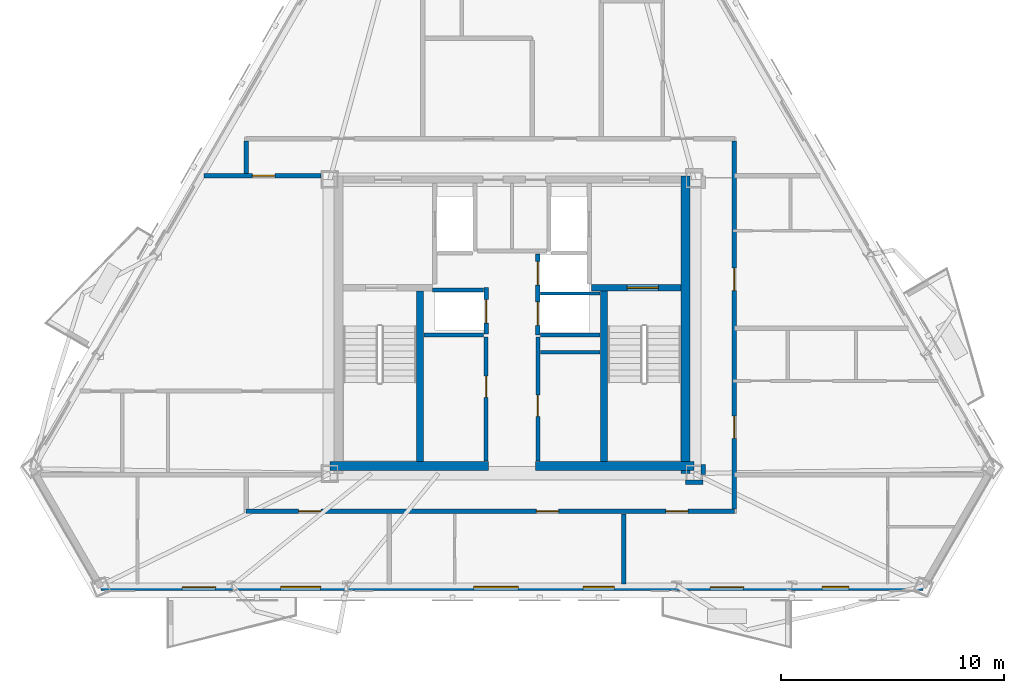
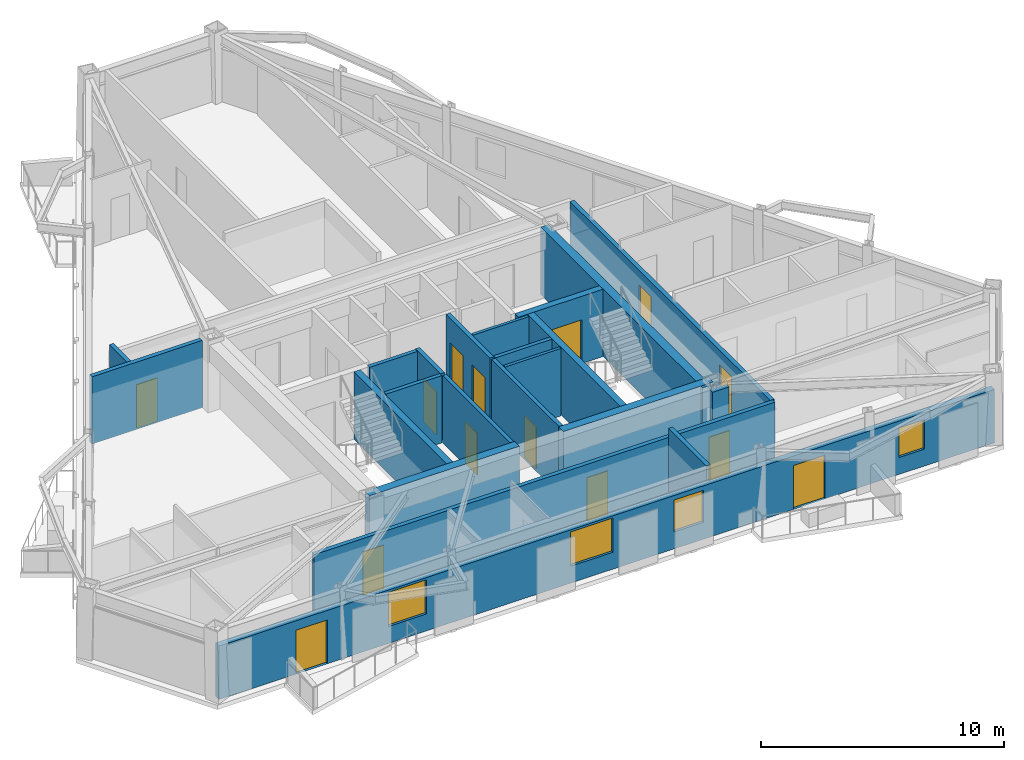
# One storey, part 3 of 9: 23 walls, 14 doors, 4 windows, 18 openings.
"""IFC4 building model written with IfcOpenShell, lengths in metres."""

from ifc_helpers import new_model, si_unit, direction, frame, frame_2d, origin, place, context, subcontext, project, spatial, rectangle, extrude, material, layer, layer_set, type_object, element, fill, save


model = new_model("IFC4")

# Units and contexts
model_context = context("Model", 3, precision=1e-05, world=origin(), true_north=direction((0.0, 1.0)))
body_context = subcontext(model_context, "Body", "Model", "MODEL_VIEW")
ifc_project = project(units=[si_unit("LENGTHUNIT", "METRE"), si_unit("AREAUNIT", "SQUARE_METRE"), si_unit("VOLUMEUNIT", "CUBIC_METRE"), si_unit("PLANEANGLEUNIT", "RADIAN"), si_unit("MASSUNIT", "GRAM", prefix="KILO")], contexts=[model_context])

# Site, building, storey
site_placement = place(None, origin())
site = spatial("IfcSite", under=ifc_project, at=site_placement, CompositionType="ELEMENT")
building_placement = place(site_placement, origin())
building = spatial("IfcBuilding", under=site, at=building_placement, Name="Oramaril Tower", CompositionType="ELEMENT")
storey_placement = place(building_placement, frame((0.0, 0.0, 230.699951171875)))
storey = spatial("IfcBuildingStorey", under=building, at=storey_placement, Name="L61", CompositionType="ELEMENT", Elevation=230.699951171875)

# Wall, openings, doors, windows
ifc_material_1 = material(Name="Warm Cream Limestone", Category="masonry")
ifc_layer_1 = layer(ifc_material_1, 0.2900390625)
ifc_layer_set_1 = layer_set([ifc_layer_1], Name="WT-EXT29")
wall_type_1 = type_object("IfcWallType", Name="WT-EXT29", PredefinedType="SOLIDWALL", material=ifc_layer_set_1)
wall_1_placement = place(storey_placement, frame((19.102294921875, 5.9140625, 0.0), z_axis=(0.0, 0.0, 1.0), x_axis=(1.0, 0.0, 0.0)))
wall_1 = element("IfcWall", 1, at=wall_1_placement, inside=storey, type_object=wall_type_1, Name="L61 Tower Limestone Facade Wall 2M", PredefinedType="SOLIDWALL", context=body_context, shape_type="SweptSolid", body=[
    extrude(rectangle(XDim=36.79541015625, YDim=0.2900390625, at=frame_2d((18.397705078125, 0.0))), origin(), (0.0, 0.0, 1.0), 2.677001953125),
])
opening_1_placement = place(wall_1_placement, frame((3.639404296875, 0.0, 0.0)))
opening_1 = element("IfcOpeningElement", 2, at=opening_1_placement, cuts=wall_1, Name="Opening D-L61-BAL-S1", PredefinedType="OPENING", context=body_context, shape_type="SweptSolid", body=[
    extrude(rectangle(XDim=1.5, YDim=2.199951171875, at=frame_2d((0.75, 1.10009765625))), frame((0.0, 0.14501953125, 0.0), z_axis=(0.0, -1.0, 0.0), x_axis=(1.0, 0.0, 0.0)), (0.0, 0.0, 1.0), 0.2900390625),
])
opening_2_placement = place(wall_1_placement, frame((27.2607421875, 0.0, 0.0)))
opening_2 = element("IfcOpeningElement", 3, at=opening_2_placement, cuts=wall_1, Name="Opening D-L61-BAL-S2", PredefinedType="OPENING", context=body_context, shape_type="SweptSolid", body=[
    extrude(rectangle(XDim=1.5, YDim=2.199951171875, at=frame_2d((0.75, 1.10009765625))), frame((0.0, 0.14501953125, 0.0), z_axis=(0.0, -1.0, 0.0), x_axis=(1.0, 0.0, 0.0)), (0.0, 0.0, 1.0), 0.2900390625),
])
opening_3_placement = place(wall_1_placement, frame((8.039794921875, 0.0, 0.85009765625)))
opening_3 = element("IfcOpeningElement", 4, at=opening_3_placement, cuts=wall_1, Name="Opening WN-06", PredefinedType="OPENING", context=body_context, shape_type="SweptSolid", body=[
    extrude(rectangle(XDim=1.800048828125, YDim=1.717041015625, at=frame_2d((0.89990234375, 0.8583984375))), frame((0.0, 0.14501953125, 0.0), z_axis=(0.0, -1.0, 0.0), x_axis=(1.0, 0.0, 0.0)), (0.0, 0.0, 1.0), 0.2900390625),
])
opening_4_placement = place(wall_1_placement, frame((16.6845703125, 0.0, 0.85009765625)))
opening_4 = element("IfcOpeningElement", 5, at=opening_4_placement, cuts=wall_1, Name="Opening WN-05", PredefinedType="OPENING", context=body_context, shape_type="SweptSolid", body=[
    extrude(rectangle(XDim=2.0, YDim=1.717041015625, at=frame_2d((1.0, 0.8583984375))), frame((0.0, 0.14501953125, 0.0), z_axis=(0.0, -1.0, 0.0), x_axis=(1.0, 0.0, 0.0)), (0.0, 0.0, 1.0), 0.2900390625),
])
opening_5_placement = place(wall_1_placement, frame((21.583740234375, 0.0, 0.85009765625)))
opening_5 = element("IfcOpeningElement", 6, at=opening_5_placement, cuts=wall_1, Name="Opening WN-08", PredefinedType="OPENING", context=body_context, shape_type="SweptSolid", body=[
    extrude(rectangle(XDim=1.39990234375, YDim=1.60009765625, at=frame_2d((0.699951171875, 0.800048828125))), frame((0.0, 0.14501953125, 0.0), z_axis=(0.0, -1.0, 0.0), x_axis=(1.0, 0.0, 0.0)), (0.0, 0.0, 1.0), 0.2900390625),
])
opening_6_placement = place(wall_1_placement, frame((32.270263671875, 0.0, 0.85009765625)))
opening_6 = element("IfcOpeningElement", 7, at=opening_6_placement, cuts=wall_1, Name="Opening WN-09", PredefinedType="OPENING", context=body_context, shape_type="SweptSolid", body=[
    extrude(rectangle(XDim=1.199951171875, YDim=1.47998046875, at=frame_2d((0.60009765625, 0.739990234375))), frame((0.0, 0.14501953125, 0.0), z_axis=(0.0, -1.0, 0.0), x_axis=(1.0, 0.0, 0.0)), (0.0, 0.0, 1.0), 0.2900390625),
])
ifc_material_2 = material(Name="Anodised Aluminium 6063-T6", Category="aluminium")
door_type_1 = type_object("IfcDoorType", Name="DT-BAL", OperationType="NOTDEFINED", PredefinedType="DOOR", material=ifc_material_2)
door_1_placement = place(opening_1_placement, origin())
door_1 = element("IfcDoor", 8, at=door_1_placement, inside=storey, type_object=door_type_1, Name="L61 Balcony Glazed Door L61-BAL-S1", OperationType="SINGLE_SWING_RIGHT", OverallHeight=2.199951171875, OverallWidth=1.5, PredefinedType="DOOR", context=body_context, shape_type="SweptSolid", body=[
    extrude(rectangle(XDim=1.5, YDim=2.199951171875, at=frame_2d((0.75, 1.10009765625))), frame((0.0, 0.02490234375, 0.0), z_axis=(0.0, -1.0, 0.0), x_axis=(1.0, 0.0, 0.0)), (0.0, 0.0, 1.0), 0.050048828125),
])
fill(opening_1, door_1)
door_2_placement = place(opening_2_placement, origin())
door_2 = element("IfcDoor", 9, at=door_2_placement, inside=storey, type_object=door_type_1, Name="L61 Balcony Glazed Door L61-BAL-S2", OperationType="SINGLE_SWING_LEFT", OverallHeight=2.199951171875, OverallWidth=1.5, PredefinedType="DOOR", context=body_context, shape_type="SweptSolid", body=[
    extrude(rectangle(XDim=1.5, YDim=2.199951171875, at=frame_2d((0.75, 1.10009765625))), frame((0.0, 0.02490234375, 0.0), z_axis=(0.0, -1.0, 0.0), x_axis=(1.0, 0.0, 0.0)), (0.0, 0.0, 1.0), 0.050048828125),
])
fill(opening_2, door_2)
ifc_material_3 = material(Name="Coastal Low-E Insulated Glass", Category="glass")
window_type_1 = type_object("IfcWindowType", Name="WNT-05", PartitioningType="SINGLE_PANEL", PredefinedType="WINDOW", material=ifc_material_3)
window_1_placement = place(opening_4_placement, origin())
window_1 = element("IfcWindow", 10, at=window_1_placement, inside=storey, type_object=window_type_1, Name="L61 Chicago Bay Window WN-05", OverallHeight=1.717041015625, OverallWidth=2.0, PartitioningType="SINGLE_PANEL", PredefinedType="WINDOW", context=body_context, shape_type="SweptSolid", body=[
    extrude(rectangle(XDim=2.0, YDim=1.717041015625, at=frame_2d((1.0, 0.8583984375))), frame((0.0, 0.030029296875, 0.0), z_axis=(0.0, -1.0, 0.0), x_axis=(1.0, 0.0, 0.0)), (0.0, 0.0, 1.0), 0.06005859375),
])
fill(opening_4, window_1)
ifc_material_4 = material(Name="Coastal Low-E Insulated Glass", Category="glass")
window_type_2 = type_object("IfcWindowType", Name="WNT-06", PartitioningType="SINGLE_PANEL", PredefinedType="WINDOW", material=ifc_material_4)
window_2_placement = place(opening_3_placement, origin())
window_2 = element("IfcWindow", 11, at=window_2_placement, inside=storey, type_object=window_type_2, Name="L61 Chicago Bay Window WN-06", OverallHeight=1.717041015625, OverallWidth=1.800048828125, PartitioningType="SINGLE_PANEL", PredefinedType="WINDOW", context=body_context, shape_type="SweptSolid", body=[
    extrude(rectangle(XDim=1.800048828125, YDim=1.717041015625, at=frame_2d((0.89990234375, 0.8583984375))), frame((0.0, 0.030029296875, 0.0), z_axis=(0.0, -1.0, 0.0), x_axis=(1.0, 0.0, 0.0)), (0.0, 0.0, 1.0), 0.06005859375),
])
fill(opening_3, window_2)
ifc_material_5 = material(Name="Coastal Low-E Insulated Glass", Category="glass")
window_type_3 = type_object("IfcWindowType", Name="WNT-08", PartitioningType="SINGLE_PANEL", PredefinedType="WINDOW", material=ifc_material_5)
window_3_placement = place(opening_5_placement, origin())
window_3 = element("IfcWindow", 12, at=window_3_placement, inside=storey, type_object=window_type_3, Name="L61 Chicago Bay Window WN-08", OverallHeight=1.60009765625, OverallWidth=1.39990234375, PartitioningType="SINGLE_PANEL", PredefinedType="WINDOW", context=body_context, shape_type="SweptSolid", body=[
    extrude(rectangle(XDim=1.39990234375, YDim=1.60009765625, at=frame_2d((0.699951171875, 0.800048828125))), frame((0.0, 0.030029296875, 0.0), z_axis=(0.0, -1.0, 0.0), x_axis=(1.0, 0.0, 0.0)), (0.0, 0.0, 1.0), 0.06005859375),
])
fill(opening_5, window_3)
ifc_material_6 = material(Name="Coastal Low-E Insulated Glass", Category="glass")
window_type_4 = type_object("IfcWindowType", Name="WNT-09", PartitioningType="SINGLE_PANEL", PredefinedType="WINDOW", material=ifc_material_6)
window_4_placement = place(opening_6_placement, origin())
window_4 = element("IfcWindow", 13, at=window_4_placement, inside=storey, type_object=window_type_4, Name="L61 Chicago Bay Window WN-09", OverallHeight=1.47998046875, OverallWidth=1.199951171875, PartitioningType="SINGLE_PANEL", PredefinedType="WINDOW", context=body_context, shape_type="SweptSolid", body=[
    extrude(rectangle(XDim=1.199951171875, YDim=1.47998046875, at=frame_2d((0.60009765625, 0.739990234375))), frame((0.0, 0.030029296875, 0.0), z_axis=(0.0, -1.0, 0.0), x_axis=(1.0, 0.0, 0.0)), (0.0, 0.0, 1.0), 0.06005859375),
])
fill(opening_6, window_4)

# Walls
ifc_material_7 = material(Name="Acoustic Gypsum Board Partition")
ifc_layer_2 = layer(ifc_material_7, 0.139892578125)
ifc_layer_set_2 = layer_set([ifc_layer_2], Name="WT-PT14")
wall_type_2 = type_object("IfcWallType", Name="WT-PT14", PredefinedType="PARTITIONING", material=ifc_layer_set_2)
for number, where, z_axis, x_axis, name in (
    (14, (38.780029296875, 19.050048828125, 0.0), (0.0, 0.0, 1.0), (1.0, 0.0, 0.0), "L61 High-Rise Lift H2-H3 Divider"),
    (15, (38.780029296875, 16.419921875, 0.0), (0.0, 0.0, 1.0), (1.0, 0.0, 0.0), "L61 Freed Shaft North Closure"),
):
    element("IfcWall", number, at=place(storey_placement, frame(where, z_axis=z_axis, x_axis=x_axis)), inside=storey, type_object=wall_type_2, Name=name, PredefinedType="PARTITIONING", context=body_context, shape_type="SweptSolid", body=[
        extrude(rectangle(XDim=2.659912109375, YDim=0.139892578125, at=frame_2d((1.330078125, 0.0))), origin(), (0.0, 0.0, 1.0), 3.380126953125),
    ])
ifc_material_8 = material(Name="Autoclaved Cellular Concrete Block", Category="concrete")
ifc_layer_3 = layer(ifc_material_8, 0.179931640625)
ifc_layer_set_3 = layer_set([ifc_layer_3], Name="WT-PT18")
wall_type_3 = type_object("IfcWallType", Name="WT-PT18", PredefinedType="PARTITIONING", material=ifc_layer_set_3)
wall_2_placement = place(storey_placement, frame((33.949951171875, 19.199951171875, 0.0), z_axis=(0.0, 0.0, 1.0), x_axis=(1.0, 0.0, 0.0)))
element("IfcWall", 16, at=wall_2_placement, inside=storey, type_object=wall_type_3, Name="L61 High-Rise Lift H1 North Shaft Wall", PredefinedType="PARTITIONING", context=body_context, shape_type="SweptSolid", body=[
    extrude(rectangle(XDim=2.27001953125, YDim=0.179931640625, at=frame_2d((1.135009765625, 0.0))), origin(), (0.0, 0.0, 1.0), 3.380126953125),
])
wall_3_placement = place(storey_placement, frame((33.56005859375, 17.199951171875, 0.0), z_axis=(0.0, 0.0, 1.0), x_axis=(1.0, 0.0, 0.0)))
element("IfcWall", 17, at=wall_3_placement, inside=storey, type_object=wall_type_3, Name="L61 High-Rise Lift H1 South Wall", PredefinedType="PARTITIONING", context=body_context, shape_type="SweptSolid", body=[
    extrude(rectangle(XDim=2.659912109375, YDim=0.179931640625, at=frame_2d((1.330078125, 0.0))), origin(), (0.0, 0.0, 1.0), 3.380126953125),
])

# Wall, opening, door
wall_4_placement = place(storey_placement, frame((36.340087890625, 11.550048828125, 0.0), z_axis=(0.0, 0.0, 1.0), x_axis=(0.0, 1.0, 0.0)))
wall_4 = element("IfcWall", 18, at=wall_4_placement, inside=storey, type_object=wall_type_3, Name="L61 Freed Shaft Study East Wall", PredefinedType="PARTITIONING", context=body_context, shape_type="SweptSolid", body=[
    extrude(rectangle(XDim=5.550048828125, YDim=0.179931640625, at=frame_2d((2.77490234375, 0.0))), origin(), (0.0, 0.0, 1.0), 3.380126953125),
])
opening_7_placement = place(wall_4_placement, frame((2.85009765625, 0.0, 0.0)))
opening_7 = element("IfcOpeningElement", 19, at=opening_7_placement, cuts=wall_4, Name="Opening D-L61-FL1", PredefinedType="OPENING", context=body_context, shape_type="SweptSolid", body=[
    extrude(rectangle(XDim=0.949951171875, YDim=2.10009765625, at=frame_2d((0.47509765625, 1.050048828125))), frame((0.0, 0.08984375, 0.0), z_axis=(0.0, -1.0, 0.0), x_axis=(1.0, 0.0, 0.0)), (0.0, 0.0, 1.0), 0.179931640625),
])
ifc_material_9 = material(Name="FSC Brazilian Freijo Hardwood", Category="wood")
door_type_2 = type_object("IfcDoorType", Name="DT-STDY", OperationType="NOTDEFINED", PredefinedType="DOOR", material=ifc_material_9)
door_3_placement = place(opening_7_placement, origin())
door_3 = element("IfcDoor", 20, at=door_3_placement, inside=storey, type_object=door_type_2, Name="L61 L61 Residents Study Alcove Door", OperationType="SINGLE_SWING_LEFT", OverallHeight=2.10009765625, OverallWidth=0.949951171875, PredefinedType="DOOR", context=body_context, shape_type="SweptSolid", body=[
    extrude(rectangle(XDim=0.949951171875, YDim=2.10009765625, at=frame_2d((0.47509765625, 1.050048828125))), frame((0.0, 0.02490234375, 0.0), z_axis=(0.0, -1.0, 0.0), x_axis=(1.0, 0.0, 0.0)), (0.0, 0.0, 1.0), 0.050048828125),
])
fill(opening_7, door_3)

# Wall
wall_5_placement = place(storey_placement, frame((38.780029296875, 17.199951171875, 0.0), z_axis=(0.0, 0.0, 1.0), x_axis=(1.0, 0.0, 0.0)))
element("IfcWall", 21, at=wall_5_placement, inside=storey, type_object=wall_type_3, Name="L61 High-Rise Lift H2 South Wall", PredefinedType="PARTITIONING", context=body_context, shape_type="SweptSolid", body=[
    extrude(rectangle(XDim=2.659912109375, YDim=0.179931640625, at=frame_2d((1.330078125, 0.0))), origin(), (0.0, 0.0, 1.0), 3.380126953125),
])

# Wall, opening, door
wall_6_placement = place(storey_placement, frame((38.659912109375, 11.550048828125, 0.0), z_axis=(0.0, 0.0, 1.0), x_axis=(0.0, 1.0, 0.0)))
wall_6 = element("IfcWall", 22, at=wall_6_placement, inside=storey, type_object=wall_type_3, Name="L61 Freed Shaft Alcove West Wall", PredefinedType="PARTITIONING", context=body_context, shape_type="SweptSolid", body=[
    extrude(rectangle(XDim=5.550048828125, YDim=0.179931640625, at=frame_2d((2.77490234375, 0.0))), origin(), (0.0, 0.0, 1.0), 3.380126953125),
])
opening_8_placement = place(wall_6_placement, frame((2.0, 0.0, 0.0)))
opening_8 = element("IfcOpeningElement", 23, at=opening_8_placement, cuts=wall_6, Name="Opening D-L61-FM1", PredefinedType="OPENING", context=body_context, shape_type="SweptSolid", body=[
    extrude(rectangle(XDim=0.949951171875, YDim=2.10009765625, at=frame_2d((0.47509765625, 1.050048828125))), frame((0.0, 0.08984375, 0.0), z_axis=(0.0, -1.0, 0.0), x_axis=(1.0, 0.0, 0.0)), (0.0, 0.0, 1.0), 0.179931640625),
])
door_4_placement = place(opening_8_placement, origin())
door_4 = element("IfcDoor", 24, at=door_4_placement, inside=storey, type_object=door_type_2, Name="L61 L61 Sky Reading Room Door", OperationType="SINGLE_SWING_RIGHT", OverallHeight=2.10009765625, OverallWidth=0.949951171875, PredefinedType="DOOR", context=body_context, shape_type="SweptSolid", body=[
    extrude(rectangle(XDim=0.949951171875, YDim=2.10009765625, at=frame_2d((0.47509765625, 1.050048828125))), frame((0.0, 0.02490234375, 0.0), z_axis=(0.0, -1.0, 0.0), x_axis=(1.0, 0.0, 0.0)), (0.0, 0.0, 1.0), 0.050048828125),
])
fill(opening_8, door_4)

# Wall, openings, doors
ifc_material_10 = material(Name="Autoclaved Cellular Concrete Block", Category="concrete")
ifc_layer_4 = layer(ifc_material_10, 0.199951171875)
ifc_layer_set_4 = layer_set([ifc_layer_4], Name="WT-PT20")
wall_type_4 = type_object("IfcWallType", Name="WT-PT20", PredefinedType="PARTITIONING", material=ifc_layer_set_4)
wall_7_placement = place(storey_placement, frame((25.60009765625, 9.300048828125, 0.0), z_axis=(0.0, 0.0, 1.0), x_axis=(1.0, 0.0, 0.0)))
wall_7 = element("IfcWall", 25, at=wall_7_placement, inside=storey, type_object=wall_type_4, Name="L61 Interior Partition PT-20", PredefinedType="PARTITIONING", context=body_context, shape_type="SweptSolid", body=[
    extrude(rectangle(XDim=21.849853515625, YDim=0.199951171875, at=frame_2d((10.9248046875, 0.0))), origin(), (0.0, 0.0, 1.0), 2.9130859375),
])
opening_9_placement = place(wall_7_placement, frame((2.352294921875, 0.0, 0.0)))
opening_9 = element("IfcOpeningElement", 26, at=opening_9_placement, cuts=wall_7, Name="Opening D-L61-01", PredefinedType="OPENING", context=body_context, shape_type="SweptSolid", body=[
    extrude(rectangle(XDim=1.0, YDim=2.179931640625, at=frame_2d((0.5, 1.08984375))), frame((0.0, 0.10009765625, 0.0), z_axis=(0.0, -1.0, 0.0), x_axis=(1.0, 0.0, 0.0)), (0.0, 0.0, 1.0), 0.199951171875),
])
opening_10_placement = place(wall_7_placement, frame((12.989990234375, 0.0, 0.0)))
opening_10 = element("IfcOpeningElement", 27, at=opening_10_placement, cuts=wall_7, Name="Opening D-L61-02", PredefinedType="OPENING", context=body_context, shape_type="SweptSolid", body=[
    extrude(rectangle(XDim=1.0, YDim=2.179931640625, at=frame_2d((0.5, 1.08984375))), frame((0.0, 0.10009765625, 0.0), z_axis=(0.0, -1.0, 0.0), x_axis=(1.0, 0.0, 0.0)), (0.0, 0.0, 1.0), 0.199951171875),
])
opening_11_placement = place(wall_7_placement, frame((18.77978515625, 0.0, 0.0)))
opening_11 = element("IfcOpeningElement", 28, at=opening_11_placement, cuts=wall_7, Name="Opening D-L61-03", PredefinedType="OPENING", context=body_context, shape_type="SweptSolid", body=[
    extrude(rectangle(XDim=1.0, YDim=2.179931640625, at=frame_2d((0.5, 1.08984375))), frame((0.0, 0.10009765625, 0.0), z_axis=(0.0, -1.0, 0.0), x_axis=(1.0, 0.0, 0.0)), (0.0, 0.0, 1.0), 0.199951171875),
])
ifc_material_11 = material(Name="FSC Brazilian Freijo Hardwood", Category="wood")
door_type_3 = type_object("IfcDoorType", Name="DT-APT", OperationType="NOTDEFINED", PredefinedType="DOOR", material=ifc_material_11)
door_5_placement = place(opening_9_placement, origin())
door_5 = element("IfcDoor", 29, at=door_5_placement, inside=storey, type_object=door_type_3, Name="L61 Flat L61-U1 Kitchen and Studio Apartment Door D-L61-01", OperationType="SINGLE_SWING_RIGHT", OverallHeight=2.179931640625, OverallWidth=1.0, PredefinedType="DOOR", context=body_context, shape_type="SweptSolid", body=[
    extrude(rectangle(XDim=1.0, YDim=2.179931640625, at=frame_2d((0.5, 1.08984375))), frame((0.0, 0.02490234375, 0.0), z_axis=(0.0, -1.0, 0.0), x_axis=(1.0, 0.0, 0.0)), (0.0, 0.0, 1.0), 0.050048828125),
])
fill(opening_9, door_5)
door_6_placement = place(opening_10_placement, origin())
door_6 = element("IfcDoor", 30, at=door_6_placement, inside=storey, type_object=door_type_3, Name="L61 Flat L61-U2 Kitchen and Studio Apartment Door D-L61-02", OperationType="SINGLE_SWING_LEFT", OverallHeight=2.179931640625, OverallWidth=1.0, PredefinedType="DOOR", context=body_context, shape_type="SweptSolid", body=[
    extrude(rectangle(XDim=1.0, YDim=2.179931640625, at=frame_2d((0.5, 1.08984375))), frame((0.0, 0.02490234375, 0.0), z_axis=(0.0, -1.0, 0.0), x_axis=(1.0, 0.0, 0.0)), (0.0, 0.0, 1.0), 0.050048828125),
])
fill(opening_10, door_6)
door_7_placement = place(opening_11_placement, origin())
door_7 = element("IfcDoor", 31, at=door_7_placement, inside=storey, type_object=door_type_3, Name="L61 Flat L61-U3 Studio Apartment Door D-L61-03", OperationType="SINGLE_SWING_RIGHT", OverallHeight=2.179931640625, OverallWidth=1.0, PredefinedType="DOOR", context=body_context, shape_type="SweptSolid", body=[
    extrude(rectangle(XDim=1.0, YDim=2.179931640625, at=frame_2d((0.5, 1.08984375))), frame((0.0, 0.02490234375, 0.0), z_axis=(0.0, -1.0, 0.0), x_axis=(1.0, 0.0, 0.0)), (0.0, 0.0, 1.0), 0.050048828125),
])
fill(opening_11, door_7)

# Wall
wall_8_placement = place(storey_placement, frame((45.260009765625, 10.610107421875, 0.0), z_axis=(0.0, 0.0, 1.0), x_axis=(1.0, 0.0, 0.0)))
element("IfcWall", 32, at=wall_8_placement, inside=storey, type_object=wall_type_4, Name="L61 Interior Partition PT-20", PredefinedType="PARTITIONING", context=body_context, shape_type="SweptSolid", body=[
    extrude(rectangle(XDim=0.780029296875, YDim=0.199951171875, at=frame_2d((0.39013671875, 0.0))), origin(), (0.0, 0.0, 1.0), 3.380126953125),
])

# Wall, opening, door
wall_9_placement = place(storey_placement, frame((23.72802734375, 24.320068359375, 0.0), z_axis=(0.0, 0.0, 1.0), x_axis=(1.0, 0.0, 0.0)))
wall_9 = element("IfcWall", 33, at=wall_9_placement, inside=storey, type_object=wall_type_4, Name="L61 Interior Partition PT-20", PredefinedType="PARTITIONING", context=body_context, shape_type="SweptSolid", body=[
    extrude(rectangle(XDim=5.23193359375, YDim=0.199951171875, at=frame_2d((2.615966796875, 0.0))), origin(), (0.0, 0.0, 1.0), 3.380126953125),
])
opening_12_placement = place(wall_9_placement, frame((2.16015625, 0.0, 0.0)))
opening_12 = element("IfcOpeningElement", 34, at=opening_12_placement, cuts=wall_9, Name="Opening D-L61-12", PredefinedType="OPENING", context=body_context, shape_type="SweptSolid", body=[
    extrude(rectangle(XDim=1.0, YDim=2.179931640625, at=frame_2d((0.5, 1.08984375))), frame((0.0, 0.10009765625, 0.0), z_axis=(0.0, -1.0, 0.0), x_axis=(1.0, 0.0, 0.0)), (0.0, 0.0, 1.0), 0.199951171875),
])
door_8_placement = place(opening_12_placement, origin())
door_8 = element("IfcDoor", 35, at=door_8_placement, inside=storey, type_object=door_type_3, Name="L61 Flat L61-U4 Penthouse Living and Dining Room Door D-L61-12", OperationType="SINGLE_SWING_LEFT", OverallHeight=2.179931640625, OverallWidth=1.0, PredefinedType="DOOR", context=body_context, shape_type="SweptSolid", body=[
    extrude(rectangle(XDim=1.0, YDim=2.179931640625, at=frame_2d((0.5, 1.08984375))), frame((0.0, 0.02490234375, 0.0), z_axis=(0.0, -1.0, 0.0), x_axis=(1.0, 0.0, 0.0)), (0.0, 0.0, 1.0), 0.050048828125),
])
fill(opening_12, door_8)

# Walls
wall_10_placement = place(storey_placement, frame((25.60009765625, 24.424072265625, 0.0), z_axis=(0.0, 0.0, 1.0), x_axis=(0.0, 1.0, 0.0)))
element("IfcWall", 36, at=wall_10_placement, inside=storey, type_object=wall_type_4, Name="L61 Interior Partition PT-20", PredefinedType="PARTITIONING", context=body_context, shape_type="SweptSolid", body=[
    extrude(rectangle(XDim=1.44189453125, YDim=0.199951171875, at=frame_2d((0.720947265625, 0.0))), origin(), (0.0, 0.0, 1.0), 3.380126953125),
])
wall_11_placement = place(storey_placement, frame((42.5, 6.06298828125, 0.0), z_axis=(0.0, 0.0, 1.0), x_axis=(0.0, 1.0, 0.0)))
element("IfcWall", 37, at=wall_11_placement, inside=storey, type_object=wall_type_4, Name="L61 Interior Partition PT-20", PredefinedType="PARTITIONING", context=body_context, shape_type="SweptSolid", body=[
    extrude(rectangle(XDim=3.133056640625, YDim=0.199951171875, at=frame_2d((1.56640625, 0.0))), origin(), (0.0, 0.0, 1.0), 3.380126953125),
])
wall_12_placement = place(storey_placement, frame((46.050048828125, 10.949951171875, 0.0), z_axis=(0.0, 0.0, 1.0), x_axis=(0.0, 1.0, 0.0)))
element("IfcWall", 38, at=wall_12_placement, inside=storey, type_object=wall_type_4, Name="L61 Interior Partition PT-20", PredefinedType="PARTITIONING", context=body_context, shape_type="SweptSolid", body=[
    extrude(rectangle(XDim=0.445068359375, YDim=0.199951171875, at=frame_2d((0.22265625, 0.0))), origin(), (0.0, 0.0, 1.0), 2.9130859375),
])

# Wall, openings, doors
wall_13_placement = place(storey_placement, frame((47.449951171875, 9.404052734375, 0.0), z_axis=(0.0, 0.0, 1.0), x_axis=(0.0, 1.0, 0.0)))
wall_13 = element("IfcWall", 39, at=wall_13_placement, inside=storey, type_object=wall_type_4, Name="L61 Interior Partition PT-20", PredefinedType="PARTITIONING", context=body_context, shape_type="SweptSolid", body=[
    extrude(rectangle(XDim=16.4619140625, YDim=0.199951171875, at=frame_2d((8.23095703125, 0.0))), origin(), (0.0, 0.0, 1.0), 2.9130859375),
])
opening_13_placement = place(wall_13_placement, frame((3.1630859375, 0.0, 0.0)))
opening_13 = element("IfcOpeningElement", 40, at=opening_13_placement, cuts=wall_13, Name="Opening D-L61-24", PredefinedType="OPENING", context=body_context, shape_type="SweptSolid", body=[
    extrude(rectangle(XDim=1.0, YDim=2.179931640625, at=frame_2d((0.5, 1.08984375))), frame((0.0, 0.10009765625, 0.0), z_axis=(0.0, -1.0, 0.0), x_axis=(1.0, 0.0, 0.0)), (0.0, 0.0, 1.0), 0.199951171875),
])
opening_14_placement = place(wall_13_placement, frame((9.7783203125, 0.0, 0.0)))
opening_14 = element("IfcOpeningElement", 41, at=opening_14_placement, cuts=wall_13, Name="Opening D-L61-25", PredefinedType="OPENING", context=body_context, shape_type="SweptSolid", body=[
    extrude(rectangle(XDim=1.0, YDim=2.179931640625, at=frame_2d((0.5, 1.08984375))), frame((0.0, 0.10009765625, 0.0), z_axis=(0.0, -1.0, 0.0), x_axis=(1.0, 0.0, 0.0)), (0.0, 0.0, 1.0), 0.199951171875),
])
door_9_placement = place(opening_13_placement, origin())
door_9 = element("IfcDoor", 42, at=door_9_placement, inside=storey, type_object=door_type_3, Name="L61 Flat L61-U5 Studio Apartment Door D-L61-24", OperationType="SINGLE_SWING_LEFT", OverallHeight=2.179931640625, OverallWidth=1.0, PredefinedType="DOOR", context=body_context, shape_type="SweptSolid", body=[
    extrude(rectangle(XDim=1.0, YDim=2.179931640625, at=frame_2d((0.5, 1.08984375))), frame((0.0, 0.02490234375, 0.0), z_axis=(0.0, -1.0, 0.0), x_axis=(1.0, 0.0, 0.0)), (0.0, 0.0, 1.0), 0.050048828125),
])
fill(opening_13, door_9)
door_10_placement = place(opening_14_placement, origin())
door_10 = element("IfcDoor", 43, at=door_10_placement, inside=storey, type_object=door_type_3, Name="L61 Flat L61-U6 Studio Apartment Door D-L61-25", OperationType="SINGLE_SWING_RIGHT", OverallHeight=2.179931640625, OverallWidth=1.0, PredefinedType="DOOR", context=body_context, shape_type="SweptSolid", body=[
    extrude(rectangle(XDim=1.0, YDim=2.179931640625, at=frame_2d((0.5, 1.08984375))), frame((0.0, 0.02490234375, 0.0), z_axis=(0.0, -1.0, 0.0), x_axis=(1.0, 0.0, 0.0)), (0.0, 0.0, 1.0), 0.050048828125),
])
fill(opening_14, door_10)

# Wall, opening, door
ifc_material_12 = material(Name="Concrete C50/60", Category="concrete")
ifc_layer_5 = layer(ifc_material_12, 0.300048828125)
ifc_layer_set_5 = layer_set([ifc_layer_5], Name="WT-SH30")
wall_type_5 = type_object("IfcWallType", Name="WT-SH30", PredefinedType="SHEAR", material=ifc_layer_set_5)
wall_14_placement = place(storey_placement, frame((41.050048828125, 19.31005859375, 0.0), z_axis=(0.0, 0.0, 1.0), x_axis=(1.0, 0.0, 0.0)))
wall_14 = element("IfcWall", 44, at=wall_14_placement, inside=storey, type_object=wall_type_5, Name="L61 Core Shear Wall CW-ST2N", PredefinedType="SHEAR", context=body_context, shape_type="SweptSolid", body=[
    extrude(rectangle(XDim=4.010009765625, YDim=0.300048828125, at=frame_2d((2.0048828125, 0.0))), origin(), (0.0, 0.0, 1.0), 3.380126953125),
])
opening_15_placement = place(wall_14_placement, frame((1.60009765625, 0.0, 0.0)))
opening_15 = element("IfcOpeningElement", 45, at=opening_15_placement, cuts=wall_14, Name="Opening D-L61-ST2", PredefinedType="OPENING", context=body_context, shape_type="SweptSolid", body=[
    extrude(rectangle(XDim=1.39990234375, YDim=2.199951171875, at=frame_2d((0.699951171875, 1.10009765625))), frame((0.0, 0.14990234375, 0.0), z_axis=(0.0, -1.0, 0.0), x_axis=(1.0, 0.0, 0.0)), (0.0, 0.0, 1.0), 0.300048828125),
])
ifc_material_13 = material(Name="Painted Galvanised Steel", Category="steel")
door_type_4 = type_object("IfcDoorType", Name="DT-ST", OperationType="NOTDEFINED", PredefinedType="DOOR", material=ifc_material_13)
door_11_placement = place(opening_15_placement, origin())
door_11 = element("IfcDoor", 46, at=door_11_placement, inside=storey, type_object=door_type_4, Name="L61 Protected Stair ST-2 Fire Door", OperationType="SINGLE_SWING_RIGHT", OverallHeight=2.199951171875, OverallWidth=1.39990234375, PredefinedType="DOOR", context=body_context, shape_type="SweptSolid", body=[
    extrude(rectangle(XDim=1.39990234375, YDim=2.199951171875, at=frame_2d((0.699951171875, 1.10009765625))), frame((0.0, 0.02490234375, 0.0), z_axis=(0.0, -1.0, 0.0), x_axis=(1.0, 0.0, 0.0)), (0.0, 0.0, 1.0), 0.050048828125),
])
fill(opening_15, door_11)

# Walls
for number, where, z_axis, x_axis, name in (
    (47, (33.3798828125, 11.5400390625, 0.0), (0.0, 0.0, 1.0), (0.0, 1.0, 0.0), "L61 Core Shear Wall CW-ST1E"),
    (48, (41.6201171875, 11.5400390625, 0.0), (0.0, 0.0, 1.0), (0.0, 1.0, 0.0), "L61 Core Shear Wall CW-ST2W"),
):
    element("IfcWall", number, at=place(storey_placement, frame(where, z_axis=z_axis, x_axis=x_axis)), inside=storey, type_object=wall_type_5, Name=name, PredefinedType="SHEAR", context=body_context, shape_type="SweptSolid", body=[
        extrude(rectangle(XDim=7.619873046875, YDim=0.300048828125, at=frame_2d((3.81005859375, 0.0))), origin(), (0.0, 0.0, 1.0), 3.380126953125),
    ])
ifc_material_14 = material(Name="Concrete C50/60", Category="concrete")
ifc_layer_6 = layer(ifc_material_14, 0.39990234375)
ifc_layer_set_6 = layer_set([ifc_layer_6], Name="WT-SH40")
wall_type_6 = type_object("IfcWallType", Name="WT-SH40", PredefinedType="SHEAR", material=ifc_layer_set_6)
wall_15_placement = place(storey_placement, frame((45.260009765625, 11.0, 0.0), z_axis=(0.0, 0.0, 1.0), x_axis=(0.0, 1.0, 0.0)))
element("IfcWall", 49, at=wall_15_placement, inside=storey, type_object=wall_type_6, Name="L61 Core Shear Wall CW-E", PredefinedType="SHEAR", context=body_context, shape_type="SweptSolid", body=[
    extrude(rectangle(XDim=13.300048828125, YDim=0.39990234375, at=frame_2d((6.64990234375, 0.0))), origin(), (0.0, 0.0, 1.0), 3.380126953125),
])
for number, where, z_axis, x_axis, name in (
    (50, (29.35009765625, 11.340087890625, 0.0), (0.0, 0.0, 1.0), (1.0, 0.0, 0.0), "L61 Core Shear Wall CW-SW"),
    (51, (38.550048828125, 11.340087890625, 0.0), (0.0, 0.0, 1.0), (1.0, 0.0, 0.0), "L61 Core Shear Wall CW-SE"),
):
    element("IfcWall", number, at=place(storey_placement, frame(where, z_axis=z_axis, x_axis=x_axis)), inside=storey, type_object=wall_type_6, Name=name, PredefinedType="SHEAR", context=body_context, shape_type="SweptSolid", body=[
        extrude(rectangle(XDim=7.099853515625, YDim=0.39990234375, at=frame_2d((3.5498046875, 0.0))), origin(), (0.0, 0.0, 1.0), 3.380126953125),
    ])

# Wall, opening, door
ifc_material_15 = material(Name="Autoclaved Cellular Concrete Block", Category="concrete")
ifc_layer_7 = layer(ifc_material_15, 0.199951171875)
ifc_layer_set_7 = layer_set([ifc_layer_7], Name="WT-SHF20")
wall_type_7 = type_object("IfcWallType", Name="WT-SHF20", PredefinedType="PARTITIONING", material=ifc_layer_set_7)
wall_16_placement = place(storey_placement, frame((36.340087890625, 17.25, 0.0), z_axis=(0.0, 0.0, 1.0), x_axis=(0.0, 1.0, 0.0)))
wall_16 = element("IfcWall", 52, at=wall_16_placement, inside=storey, type_object=wall_type_7, Name="L61 High-Rise Lift H1 Front Wall", PredefinedType="PARTITIONING", context=body_context, shape_type="SweptSolid", body=[
    extrude(rectangle(XDim=2.070068359375, YDim=0.199951171875, at=frame_2d((1.03515625, 0.0))), origin(), (0.0, 0.0, 1.0), 3.380126953125),
])
opening_16_placement = place(wall_16_placement, frame((0.47509765625, 0.0, 0.0)))
opening_16 = element("IfcOpeningElement", 53, at=opening_16_placement, cuts=wall_16, Name="Opening LD-L61-LP-H1", PredefinedType="OPENING", context=body_context, shape_type="SweptSolid", body=[
    extrude(rectangle(XDim=1.050048828125, YDim=2.14990234375, at=frame_2d((0.52490234375, 1.074951171875))), frame((0.0, 0.10009765625, 0.0), z_axis=(0.0, -1.0, 0.0), x_axis=(1.0, 0.0, 0.0)), (0.0, 0.0, 1.0), 0.199951171875),
])
ifc_material_16 = material(Name="Stainless Steel 316L", Category="steel")
door_type_5 = type_object("IfcDoorType", Name="DT-LD2", OperationType="NOTDEFINED", PredefinedType="DOOR", material=ifc_material_16)
door_12_placement = place(opening_16_placement, origin())
door_12 = element("IfcDoor", 54, at=door_12_placement, inside=storey, type_object=door_type_5, Name="L61 Lift LP-H1 Sliding Landing Door", OperationType="SLIDING_TO_LEFT", OverallHeight=2.14990234375, OverallWidth=1.050048828125, PredefinedType="DOOR", context=body_context, shape_type="SweptSolid", body=[
    extrude(rectangle(XDim=1.050048828125, YDim=2.14990234375, at=frame_2d((0.52490234375, 1.074951171875))), frame((0.0, 0.02490234375, 0.0), z_axis=(0.0, -1.0, 0.0), x_axis=(1.0, 0.0, 0.0)), (0.0, 0.0, 1.0), 0.050048828125),
])
fill(opening_16, door_12)

# Wall, openings, doors
wall_17_placement = place(storey_placement, frame((38.659912109375, 17.199951171875, 0.0), z_axis=(0.0, 0.0, 1.0), x_axis=(0.0, 1.0, 0.0)))
wall_17 = element("IfcWall", 55, at=wall_17_placement, inside=storey, type_object=wall_type_7, Name="L61 High-Rise Lift H2-H3 Front Wall", PredefinedType="PARTITIONING", context=body_context, shape_type="SweptSolid", body=[
    extrude(rectangle(XDim=3.6201171875, YDim=0.199951171875, at=frame_2d((1.81005859375, 0.0))), origin(), (0.0, 0.0, 1.0), 3.380126953125),
])
opening_17_placement = place(wall_17_placement, frame((0.425048828125, 0.0, 0.0)))
opening_17 = element("IfcOpeningElement", 56, at=opening_17_placement, cuts=wall_17, Name="Opening LD-L61-LP-H2", PredefinedType="OPENING", context=body_context, shape_type="SweptSolid", body=[
    extrude(rectangle(XDim=1.050048828125, YDim=2.14990234375, at=frame_2d((0.52490234375, 1.074951171875))), frame((0.0, 0.10009765625, 0.0), z_axis=(0.0, -1.0, 0.0), x_axis=(1.0, 0.0, 0.0)), (0.0, 0.0, 1.0), 0.199951171875),
])
opening_18_placement = place(wall_17_placement, frame((2.22509765625, 0.0, 0.0)))
opening_18 = element("IfcOpeningElement", 57, at=opening_18_placement, cuts=wall_17, Name="Opening LD-L61-LP-H3", PredefinedType="OPENING", context=body_context, shape_type="SweptSolid", body=[
    extrude(rectangle(XDim=1.050048828125, YDim=2.14990234375, at=frame_2d((0.52490234375, 1.074951171875))), frame((0.0, 0.10009765625, 0.0), z_axis=(0.0, -1.0, 0.0), x_axis=(1.0, 0.0, 0.0)), (0.0, 0.0, 1.0), 0.199951171875),
])
door_13_placement = place(opening_17_placement, origin())
door_13 = element("IfcDoor", 58, at=door_13_placement, inside=storey, type_object=door_type_5, Name="L61 Lift LP-H2 Sliding Landing Door", OperationType="SLIDING_TO_RIGHT", OverallHeight=2.14990234375, OverallWidth=1.050048828125, PredefinedType="DOOR", context=body_context, shape_type="SweptSolid", body=[
    extrude(rectangle(XDim=1.050048828125, YDim=2.14990234375, at=frame_2d((0.52490234375, 1.074951171875))), frame((0.0, 0.02490234375, 0.0), z_axis=(0.0, -1.0, 0.0), x_axis=(1.0, 0.0, 0.0)), (0.0, 0.0, 1.0), 0.050048828125),
])
fill(opening_17, door_13)
door_14_placement = place(opening_18_placement, origin())
door_14 = element("IfcDoor", 59, at=door_14_placement, inside=storey, type_object=door_type_5, Name="L61 Lift LP-H3 Sliding Landing Door", OperationType="SLIDING_TO_LEFT", OverallHeight=2.14990234375, OverallWidth=1.050048828125, PredefinedType="DOOR", context=body_context, shape_type="SweptSolid", body=[
    extrude(rectangle(XDim=1.050048828125, YDim=2.14990234375, at=frame_2d((0.52490234375, 1.074951171875))), frame((0.0, 0.02490234375, 0.0), z_axis=(0.0, -1.0, 0.0), x_axis=(1.0, 0.0, 0.0)), (0.0, 0.0, 1.0), 0.050048828125),
])
fill(opening_18, door_14)

save(model, "model.ifc")
